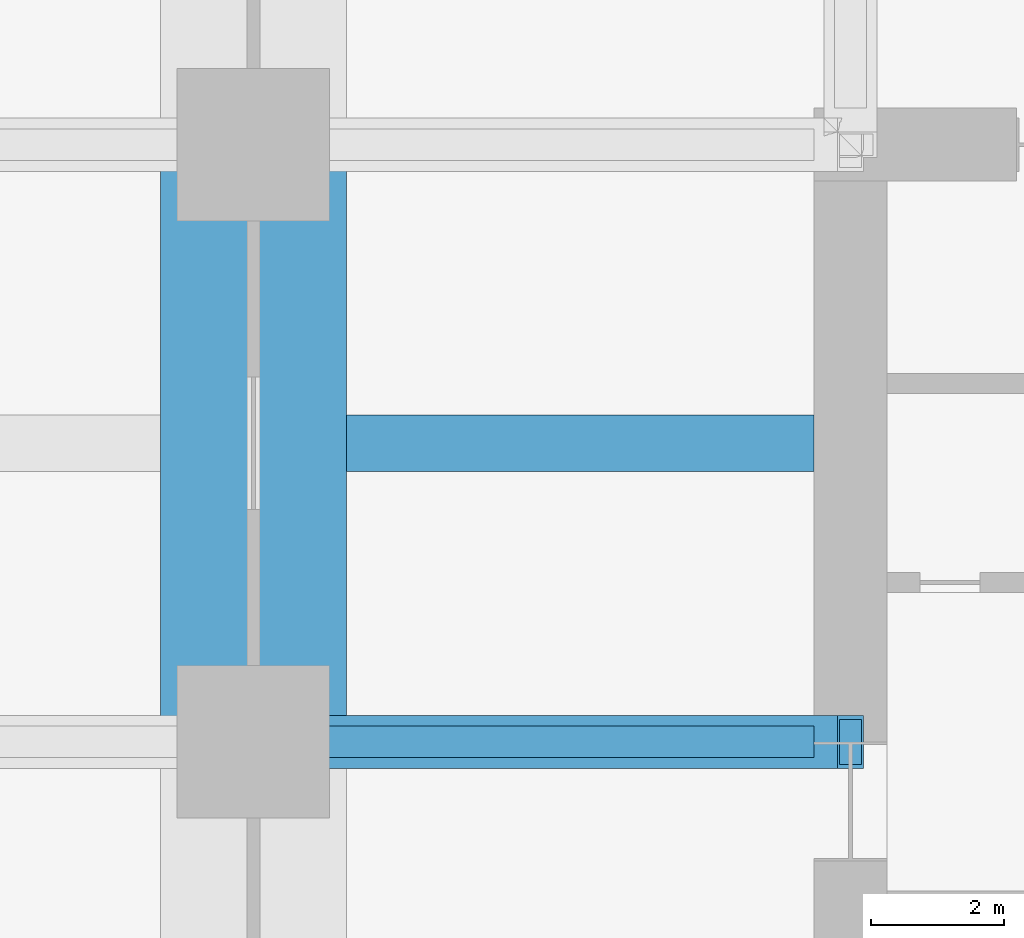
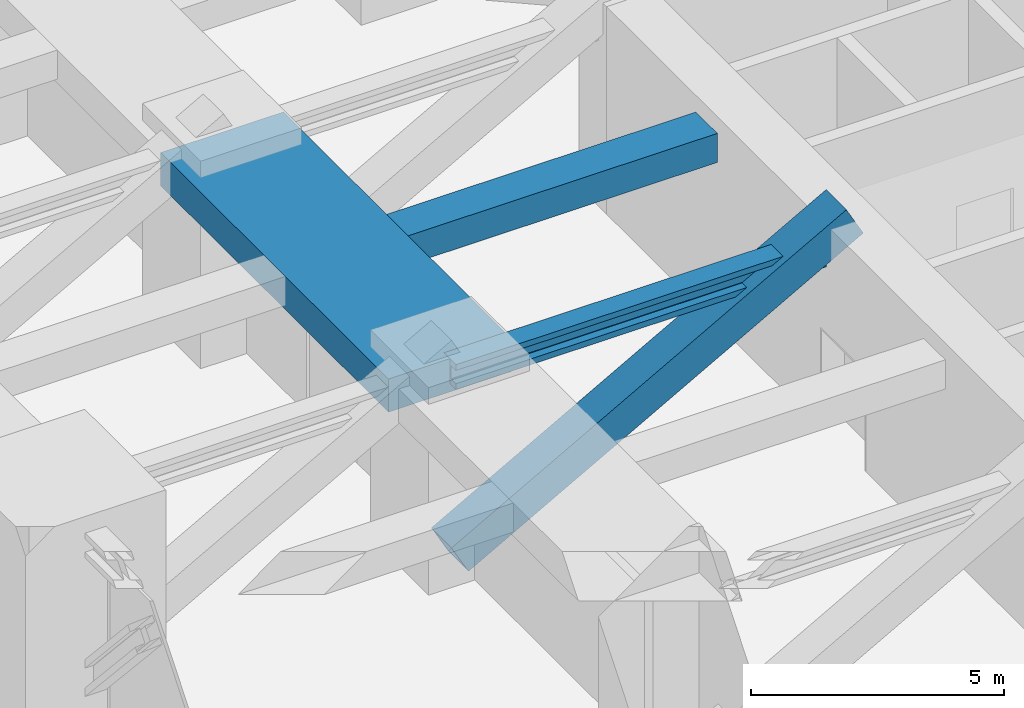
# One storey, part 9 of 35: 3 beams, 1 member.
"""IFC4 building model written with IfcOpenShell, lengths in metres."""

from ifc_helpers import new_model, si_unit, direction, frame, origin, origin_2d, place, context, subcontext, project, spatial, rectangle, hollow_rectangle, i_section, extrude, material, material_profile, profile_set, type_object, element, save


model = new_model("IFC4")

# Units and contexts
model_context = context("Model", 3, precision=1e-05, world=origin(), true_north=direction((0.0, 1.0)))
body_context = subcontext(model_context, "Body", "Model", "MODEL_VIEW")
ifc_project = project(units=[si_unit("LENGTHUNIT", "METRE"), si_unit("AREAUNIT", "SQUARE_METRE"), si_unit("VOLUMEUNIT", "CUBIC_METRE"), si_unit("PLANEANGLEUNIT", "RADIAN"), si_unit("MASSUNIT", "GRAM", prefix="KILO")], contexts=[model_context])

# Site, building, storey
site_placement = place(None, origin())
site = spatial("IfcSite", under=ifc_project, at=site_placement, CompositionType="ELEMENT")
building_placement = place(site_placement, origin())
building = spatial("IfcBuilding", under=site, at=building_placement, Name="Zorevar Civic Tower", CompositionType="ELEMENT")
storey_placement = place(building_placement, frame((0.0, 0.0, 80.0)))
storey = spatial("IfcBuildingStorey", under=building, at=storey_placement, Name="L19", CompositionType="ELEMENT", Elevation=80.0)

# Beams
ifc_material_1 = material(Name="Concrete C50/60", Category="concrete")
ifc_material_profile_1 = material_profile(ifc_material_1, rectangle(XDim=2.800048828125, YDim=0.800048828125, at=origin_2d()), Name="RC 2800x800")
ifc_profile_set_1 = profile_set([ifc_material_profile_1], Name="Concrete C50/60")
beam_type_1 = type_object("IfcBeamType", Name="Beam RC 2800x800", PredefinedType="BEAM", material=ifc_profile_set_1)
beam_1_placement = place(storey_placement, frame((9.0, 27.0, 4.199951171875), z_axis=(0.0, 1.0, 0.0), x_axis=(-1.0, 0.0, 0.0)))
element("IfcBeam", 1, at=beam_1_placement, inside=storey, type_object=beam_type_1, Name="Girder L20", PredefinedType="BEAM", context=body_context, shape_type="SweptSolid", body=[
    extrude(rectangle(XDim=2.800048828125, YDim=0.800048828125, at=origin_2d()), origin(), (0.0, 0.0, 1.0), 9.0),
])
ifc_material_2 = material(Name="Concrete C50/60", Category="concrete")
ifc_material_profile_2 = material_profile(ifc_material_2, rectangle(XDim=0.85009765625, YDim=0.699951171875, at=origin_2d()), Name="RC 850x700")
ifc_profile_set_2 = profile_set([ifc_material_profile_2], Name="Concrete C50/60")
beam_type_2 = type_object("IfcBeamType", Name="Beam RC 850x700", PredefinedType="BEAM", material=ifc_profile_set_2)
beam_2_placement = place(storey_placement, frame((10.39990234375, 31.5, 4.25), z_axis=(1.0, 0.0, 0.0), x_axis=(0.0, 1.0, 0.0)))
element("IfcBeam", 2, at=beam_2_placement, inside=storey, type_object=beam_type_2, Name="Secondary beam L20", PredefinedType="BEAM", context=body_context, shape_type="SweptSolid", body=[
    extrude(rectangle(XDim=0.85009765625, YDim=0.699951171875, at=origin_2d()), origin(), (0.0, 0.0, 1.0), 7.050048828125),
])
ifc_material_3 = material(Name="Steel S460M (HISTAR 460)", Category="steel")
ifc_material_profile_3 = material_profile(ifc_material_3, i_section(OverallWidth=0.47607421875, OverallDepth=0.60009765625, WebThickness=0.10009765625, FlangeThickness=0.139892578125, FilletRadius=0.014892578125, at=origin_2d()), Name="HD 400x1299")
ifc_profile_set_3 = profile_set([ifc_material_profile_3], Name="Steel S460M (HISTAR 460)")
beam_type_3 = type_object("IfcBeamType", Name="Outrigger chord HD 400x1299", PredefinedType="BEAM", material=ifc_profile_set_3)
beam_3_placement = place(storey_placement, frame((9.0, 27.0, 4.300048828125), z_axis=(1.0, 0.0, 0.0), x_axis=(0.0, 1.0, 0.0)))
element("IfcBeam", 3, at=beam_3_placement, inside=storey, type_object=beam_type_3, Name="Outrigger chord L20", PredefinedType="BEAM", context=body_context, shape_type="SweptSolid", body=[
    extrude(i_section(OverallWidth=0.47607421875, OverallDepth=0.60009765625, WebThickness=0.10009765625, FlangeThickness=0.139892578125, FilletRadius=0.014892578125, at=origin_2d()), origin(), (0.0, 0.0, 1.0), 8.449951171875),
])

# Member
ifc_material_4 = material(Name="Steel S460M (HISTAR 460)", Category="steel")
ifc_material_profile_4 = material_profile(ifc_material_4, hollow_rectangle(XDim=0.800048828125, YDim=0.800048828125, WallThickness=0.06005859375, at=origin_2d()), Name="BOX 800x800x60")
ifc_profile_set_4 = profile_set([ifc_material_profile_4], Name="Steel S460M (HISTAR 460)")
member_type = type_object("IfcMemberType", Name="Outrigger diagonal BOX 800x800x60", PredefinedType="BRACE", material=ifc_profile_set_4)
member_placement = place(storey_placement, frame((18.0, 27.0, 5.0), z_axis=(-0.874157276122, 0.0, -0.485642931179), x_axis=(0.0, -1.0, 0.0)))
element("IfcMember", 4, at=member_placement, inside=storey, type_object=member_type, Name="Outrigger diagonal W L19", PredefinedType="BRACE", context=body_context, shape_type="SweptSolid", body=[
    extrude(hollow_rectangle(XDim=0.800048828125, YDim=0.800048828125, WallThickness=0.06005859375, at=origin_2d()), origin(), (0.0, 0.0, 1.0), 10.295654296875),
])

save(model, "model.ifc")
